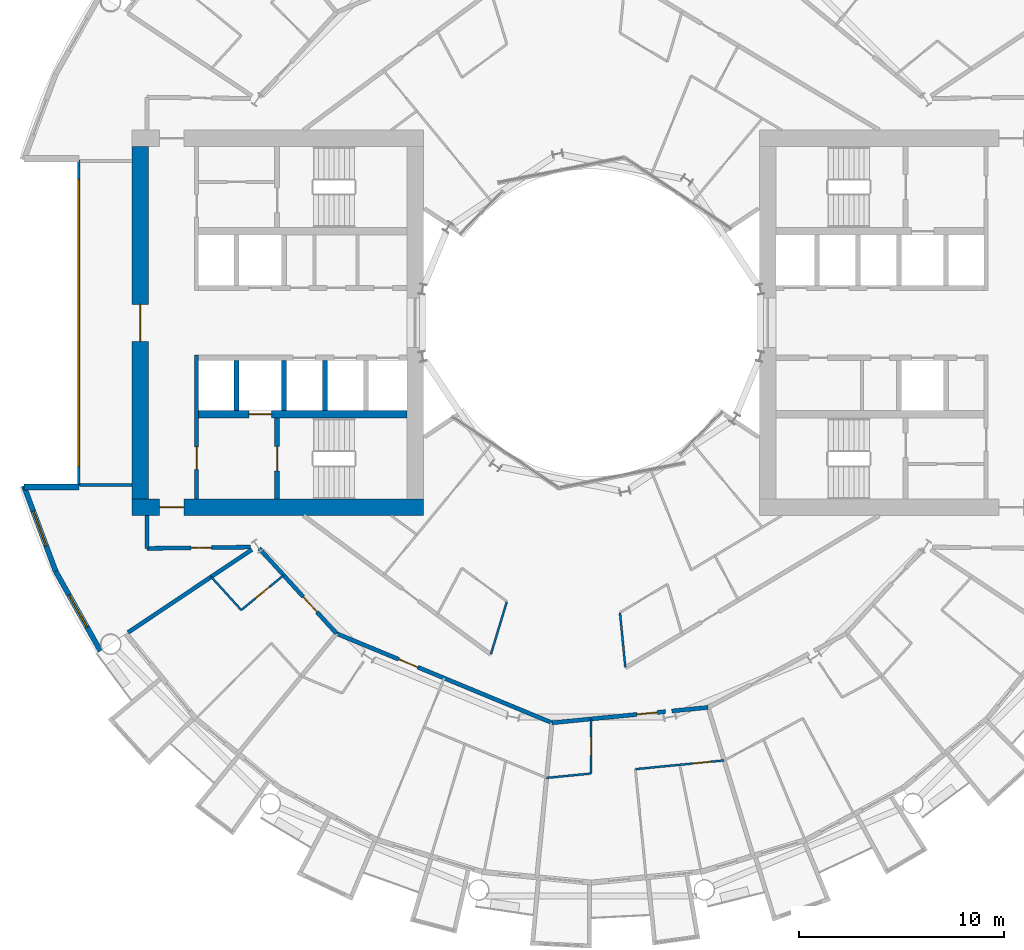
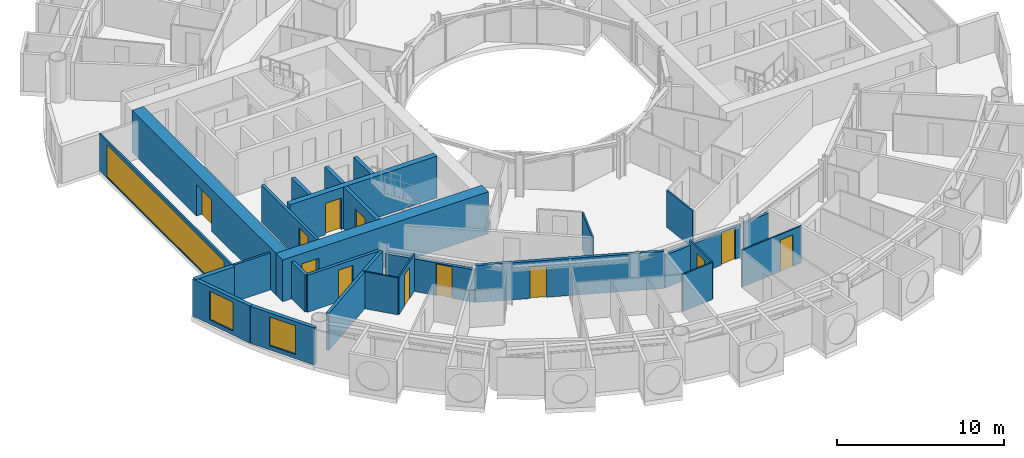
# One storey, part 14 of 26: 28 walls, 12 doors, 3 windows, 15 openings.
"""IFC4 building model written with IfcOpenShell, lengths in metres."""

from ifc_helpers import new_model, si_unit, direction, frame, frame_2d, origin, place, context, subcontext, project, spatial, rectangle, extrude, material, layer, layer_set, type_object, element, fill, save


model = new_model("IFC4")

# Units and contexts
model_context = context("Model", 3, precision=1e-05, world=origin(), true_north=direction((0.0, 1.0)))
body_context = subcontext(model_context, "Body", "Model", "MODEL_VIEW")
ifc_project = project(units=[si_unit("LENGTHUNIT", "METRE"), si_unit("AREAUNIT", "SQUARE_METRE"), si_unit("VOLUMEUNIT", "CUBIC_METRE"), si_unit("PLANEANGLEUNIT", "RADIAN"), si_unit("MASSUNIT", "GRAM", prefix="KILO")], contexts=[model_context])

# Site, building, storey
site_placement = place(None, origin())
site = spatial("IfcSite", under=ifc_project, at=site_placement, CompositionType="ELEMENT")
building_placement = place(site_placement, origin())
building = spatial("IfcBuilding", under=site, at=building_placement, Name="Maasbend Ring Residences", CompositionType="ELEMENT")
storey_placement = place(building_placement, frame((0.0, 0.0, 50.25)))
storey = spatial("IfcBuildingStorey", under=building, at=storey_placement, Name="L14", CompositionType="ELEMENT", Elevation=50.25)

# Wall, opening, door
ifc_material_1 = material(Name="Concrete C70/85", Category="concrete")
ifc_layer_1 = layer(ifc_material_1, 0.25)
ifc_layer_set_1 = layer_set([ifc_layer_1], Name="Concrete C70/85")
wall_type_1 = type_object("IfcWallType", Name="CORE WALL 250 C70/85", PredefinedType="SHEAR", material=ifc_layer_set_1)
wall_1_placement = place(storey_placement, frame((-15.324951171875, -4.64990234375, 0.0), z_axis=(0.0, 0.0, 1.0), x_axis=(0.0, -1.0, 0.0)))
wall_1 = element("IfcWall", 1, at=wall_1_placement, inside=storey, type_object=wall_type_1, Name="L14 core W wall STEN", PredefinedType="SHEAR", context=body_context, shape_type="SweptSolid", body=[
    extrude(rectangle(XDim=3.9501953125, YDim=0.25, at=frame_2d((1.97509765625, 0.0))), origin(), (0.0, 0.0, 1.0), 3.050048828125),
])
opening_1_placement = place(wall_1_placement, frame((1.375, 0.0, 0.0)))
opening_1 = element("IfcOpeningElement", 2, at=opening_1_placement, cuts=wall_1, Name="Opening D-W1410", PredefinedType="OPENING", context=body_context, shape_type="SweptSolid", body=[
    extrude(rectangle(XDim=1.199951171875, YDim=2.300048828125, at=frame_2d((0.60009765625, 1.14990234375))), frame((0.0, 0.135009765625, 0.0), z_axis=(0.0, -1.0, 0.0), x_axis=(1.0, 0.0, 0.0)), (0.0, 0.0, 1.0), 0.27001953125),
])
ifc_material_2 = material(Name="Steel, powder coated", Category="steel")
door_type_1 = type_object("IfcDoorType", Name="STAIR DOOR 1200 X 2300 FD60", OperationType="NOTDEFINED", PredefinedType="DOOR", material=ifc_material_2)
door_1_placement = place(opening_1_placement, origin())
door_1 = element("IfcDoor", 3, at=door_1_placement, inside=storey, type_object=door_type_1, Name="Stair door ST-W L14", OperationType="SINGLE_SWING_LEFT", OverallHeight=2.300048828125, OverallWidth=1.199951171875, PredefinedType="DOOR", context=body_context, shape_type="SweptSolid", body=[
    extrude(rectangle(XDim=1.199951171875, YDim=2.300048828125, at=frame_2d((0.60009765625, 1.14990234375))), frame((0.0, 0.02490234375, 0.0), z_axis=(0.0, -1.0, 0.0), x_axis=(1.0, 0.0, 0.0)), (0.0, 0.0, 1.0), 0.050048828125),
])
fill(opening_1, door_1)

ifc_material_3 = material(Name="Concrete C70/85", Category="concrete")
ifc_layer_2 = layer(ifc_material_3, 0.375)
ifc_layer_set_2 = layer_set([ifc_layer_2], Name="Concrete C70/85")
wall_type_2 = type_object("IfcWallType", Name="CORE WALL 375 C70/85", PredefinedType="SHEAR", material=ifc_layer_set_2)
wall_2_placement = place(storey_placement, frame((-9.0, -4.46240234375, 0.0), z_axis=(0.0, 0.0, 1.0), x_axis=(-1.0, 0.0, 0.0)))
wall_2 = element("IfcWall", 4, at=wall_2_placement, inside=storey, type_object=wall_type_2, Name="L14 core W wall BN", PredefinedType="SHEAR", context=body_context, shape_type="SweptSolid", body=[
    extrude(rectangle(XDim=10.14990234375, YDim=0.375, at=frame_2d((5.074951171875, 0.0))), origin(), (0.0, 0.0, 1.0), 3.050048828125),
])
opening_2_placement = place(wall_2_placement, frame((6.60009765625, 0.0, 0.0)))
opening_2 = element("IfcOpeningElement", 5, at=opening_2_placement, cuts=wall_2, Name="Opening LD-W1404", PredefinedType="OPENING", context=body_context, shape_type="SweptSolid", body=[
    extrude(rectangle(XDim=1.10009765625, YDim=2.300048828125, at=frame_2d((0.550048828125, 1.14990234375))), frame((0.0, 0.197509765625, 0.0), z_axis=(0.0, -1.0, 0.0), x_axis=(1.0, 0.0, 0.0)), (0.0, 0.0, 1.0), 0.39501953125),
])
ifc_material_4 = material(Name="Stainless steel 316", Category="steel")
door_type_2 = type_object("IfcDoorType", Name="LANDING DOOR 1100 X 2300 FD60", OperationType="DOUBLE_DOOR_SLIDING", PredefinedType="DOOR", material=ifc_material_4)
door_2_placement = place(opening_2_placement, origin())
door_2 = element("IfcDoor", 6, at=door_2_placement, inside=storey, type_object=door_type_2, Name="Landing door FF-W L14", OperationType="DOUBLE_DOOR_SLIDING", OverallHeight=2.300048828125, OverallWidth=1.10009765625, PredefinedType="DOOR", context=body_context, shape_type="SweptSolid", body=[
    extrude(rectangle(XDim=1.10009765625, YDim=2.300048828125, at=frame_2d((0.550048828125, 1.14990234375))), frame((0.0, 0.02490234375, 0.0), z_axis=(0.0, -1.0, 0.0), x_axis=(1.0, 0.0, 0.0)), (0.0, 0.0, 1.0), 0.050048828125),
])
fill(opening_2, door_2)

ifc_material_5 = material(Name="Concrete C70/85", Category="concrete")
ifc_layer_3 = layer(ifc_material_5, 0.800048828125)
ifc_layer_set_3 = layer_set([ifc_layer_3], Name="Concrete C70/85")
wall_type_3 = type_object("IfcWallType", Name="CORE WALL 800 C70/85", PredefinedType="SHEAR", material=ifc_layer_set_3)
wall_3_placement = place(storey_placement, frame((-22.39990234375, -9.0, 0.0), z_axis=(0.0, 0.0, 1.0), x_axis=(1.0, 0.0, 0.0)))
wall_3 = element("IfcWall", 7, at=wall_3_placement, inside=storey, type_object=wall_type_3, Name="L14 core W wall PN", PredefinedType="SHEAR", context=body_context, shape_type="SweptSolid", body=[
    extrude(rectangle(XDim=14.199951171875, YDim=0.800048828125, at=frame_2d((7.10009765625, 0.0))), origin(), (0.0, 0.0, 1.0), 3.050048828125),
])
opening_3_placement = place(wall_3_placement, frame((1.324951171875, 0.0, 0.0)))
opening_3 = element("IfcOpeningElement", 8, at=opening_3_placement, cuts=wall_3, Name="Opening D-W1414", PredefinedType="OPENING", context=body_context, shape_type="SweptSolid", body=[
    extrude(rectangle(XDim=1.199951171875, YDim=2.300048828125, at=frame_2d((0.60009765625, 1.14990234375))), frame((0.0, 0.41015625, 0.0), z_axis=(0.0, -1.0, 0.0), x_axis=(1.0, 0.0, 0.0)), (0.0, 0.0, 1.0), 0.820068359375),
])
ifc_material_6 = material(Name="Steel, powder coated", Category="steel")
door_type_3 = type_object("IfcDoorType", Name="CORRIDOR DOOR 1200 X 2300 FD30S", OperationType="NOTDEFINED", PredefinedType="DOOR", material=ifc_material_6)
door_3_placement = place(opening_3_placement, origin())
door_3 = element("IfcDoor", 9, at=door_3_placement, inside=storey, type_object=door_type_3, Name="Corridor door L14", OperationType="SINGLE_SWING_RIGHT", OverallHeight=2.300048828125, OverallWidth=1.199951171875, PredefinedType="DOOR", context=body_context, shape_type="SweptSolid", body=[
    extrude(rectangle(XDim=1.199951171875, YDim=2.300048828125, at=frame_2d((0.60009765625, 1.14990234375))), frame((0.0, 0.02490234375, 0.0), z_axis=(0.0, -1.0, 0.0), x_axis=(1.0, 0.0, 0.0)), (0.0, 0.0, 1.0), 0.050048828125),
])
fill(opening_3, door_3)

wall_4_placement = place(storey_placement, frame((-22.0, -8.60009765625, 0.0), z_axis=(0.0, 0.0, 1.0), x_axis=(0.0, 1.0, 0.0)))
wall_4 = element("IfcWall", 10, at=wall_4_placement, inside=storey, type_object=wall_type_3, Name="L14 core W wall POUT", PredefinedType="SHEAR", context=body_context, shape_type="SweptSolid", body=[
    extrude(rectangle(XDim=17.2001953125, YDim=0.800048828125, at=frame_2d((8.60009765625, 0.0))), origin(), (0.0, 0.0, 1.0), 3.050048828125),
])
opening_4_placement = place(wall_4_placement, frame((7.699951171875, 0.0, 0.0)))
opening_4 = element("IfcOpeningElement", 11, at=opening_4_placement, cuts=wall_4, Name="Opening D-W1416", PredefinedType="OPENING", context=body_context, shape_type="SweptSolid", body=[
    extrude(rectangle(XDim=1.800048828125, YDim=2.300048828125, at=frame_2d((0.89990234375, 1.14990234375))), frame((0.0, 0.41015625, 0.0), z_axis=(0.0, -1.0, 0.0), x_axis=(1.0, 0.0, 0.0)), (0.0, 0.0, 1.0), 0.820068359375),
])
ifc_material_7 = material(Name="Aluminium frame, clear glass", Category="aluminium")
door_type_4 = type_object("IfcDoorType", Name="ENTRANCE DOOR 1800 X 2300 FD60", OperationType="NOTDEFINED", PredefinedType="DOOR", material=ifc_material_7)
door_4_placement = place(opening_4_placement, origin())
door_4 = element("IfcDoor", 12, at=door_4_placement, inside=storey, type_object=door_type_4, Name="Lobby glazed door L14", OperationType="SINGLE_SWING_LEFT", OverallHeight=2.300048828125, OverallWidth=1.800048828125, PredefinedType="DOOR", context=body_context, shape_type="SweptSolid", body=[
    extrude(rectangle(XDim=1.800048828125, YDim=2.300048828125, at=frame_2d((0.89990234375, 1.14990234375))), frame((0.0, 0.02490234375, 0.0), z_axis=(0.0, -1.0, 0.0), x_axis=(1.0, 0.0, 0.0)), (0.0, 0.0, 1.0), 0.050048828125),
])
fill(opening_4, door_4)

ifc_material_8 = material(Name="Concrete C30/37", Category="concrete")
ifc_layer_4 = layer(ifc_material_8, 0.199951171875)
ifc_layer_set_4 = layer_set([ifc_layer_4], Name="Concrete C30/37")
wall_type_4 = type_object("IfcWallType", Name="CORRIDOR WALL 200 CONCRETE", PredefinedType="PARTITIONING", material=ifc_layer_set_4)
wall_5_placement = place(storey_placement, frame((-16.193115234375, -11.0029296875, 0.0), z_axis=(0.0, 0.0, 1.0), x_axis=(0.671514934772, -0.740991020444, 0.0)))
wall_5 = element("IfcWall", 13, at=wall_5_placement, inside=storey, type_object=wall_type_4, Name="U-L14-w013", PredefinedType="PARTITIONING", context=body_context, shape_type="SweptSolid", body=[
    extrude(rectangle(XDim=5.597900390625, YDim=0.199951171875, at=frame_2d((2.798828125, 0.0))), origin(), (0.0, 0.0, 1.0), 2.3798828125),
])
opening_5_placement = place(wall_5_placement, frame((3.179931640625, 0.0, 0.0)))
opening_5 = element("IfcOpeningElement", 14, at=opening_5_placement, cuts=wall_5, Name="Opening D-1430", PredefinedType="OPENING", context=body_context, shape_type="SweptSolid", body=[
    extrude(rectangle(XDim=1.0, YDim=2.300048828125, at=frame_2d((0.5, 1.14990234375))), frame((0.0, 0.10986328125, 0.0), z_axis=(0.0, -1.0, 0.0), x_axis=(1.0, 0.0, 0.0)), (0.0, 0.0, 1.0), 0.219970703125),
])
ifc_material_9 = material(Name="Timber, fire-rated, painted", Category="wood")
door_type_5 = type_object("IfcDoorType", Name="FLAT ENTRANCE DOOR 1000 X 2300 FIRE-RATED", OperationType="NOTDEFINED", PredefinedType="DOOR", material=ifc_material_9)
door_5_placement = place(opening_5_placement, origin())
door_5 = element("IfcDoor", 15, at=door_5_placement, inside=storey, type_object=door_type_5, Name="D-1430", OperationType="SINGLE_SWING_RIGHT", OverallHeight=2.300048828125, OverallWidth=1.0, PredefinedType="DOOR", context=body_context, shape_type="SweptSolid", body=[
    extrude(rectangle(XDim=1.0, YDim=2.300048828125, at=frame_2d((0.5, 1.14990234375))), frame((0.0, 0.02490234375, 0.0), z_axis=(0.0, -1.0, 0.0), x_axis=(1.0, 0.0, 0.0)), (0.0, 0.0, 1.0), 0.050048828125),
])
fill(opening_5, door_5)

wall_6_placement = place(storey_placement, frame((-1.927001953125, -19.506103515625, 0.0), z_axis=(0.0, 0.0, 1.0), x_axis=(0.995181086618, 0.098054091383, 0.0)))
wall_6 = element("IfcWall", 16, at=wall_6_placement, inside=storey, type_object=wall_type_4, Name="U-L14-w015", PredefinedType="PARTITIONING", context=body_context, shape_type="SweptSolid", body=[
    extrude(rectangle(XDim=5.56982421875, YDim=0.199951171875, at=frame_2d((2.784912109375, 0.0))), origin(), (0.0, 0.0, 1.0), 2.3798828125),
])
opening_6_placement = place(wall_6_placement, frame((4.16796875, 0.0, 0.0)))
opening_6 = element("IfcOpeningElement", 17, at=opening_6_placement, cuts=wall_6, Name="Opening D-1439", PredefinedType="OPENING", context=body_context, shape_type="SweptSolid", body=[
    extrude(rectangle(XDim=1.0, YDim=2.300048828125, at=frame_2d((0.5, 1.14990234375))), frame((0.0, 0.10986328125, 0.0), z_axis=(0.0, -1.0, 0.0), x_axis=(1.0, 0.0, 0.0)), (0.0, 0.0, 1.0), 0.219970703125),
])
door_6_placement = place(opening_6_placement, origin())
door_6 = element("IfcDoor", 18, at=door_6_placement, inside=storey, type_object=door_type_5, Name="D-1439", OperationType="SINGLE_SWING_RIGHT", OverallHeight=2.300048828125, OverallWidth=1.0, PredefinedType="DOOR", context=body_context, shape_type="SweptSolid", body=[
    extrude(rectangle(XDim=1.0, YDim=2.300048828125, at=frame_2d((0.5, 1.14990234375))), frame((0.0, 0.02490234375, 0.0), z_axis=(0.0, -1.0, 0.0), x_axis=(1.0, 0.0, 0.0)), (0.0, 0.0, 1.0), 0.050048828125),
])
fill(opening_6, door_6)

# Wall
wall_7_placement = place(storey_placement, frame((3.9208984375, -18.929931640625, 0.0), z_axis=(0.0, 0.0, 1.0), x_axis=(0.995207057161, 0.097790149696, 0.0)))
element("IfcWall", 19, at=wall_7_placement, inside=storey, type_object=wall_type_4, Name="U-L14-w016", PredefinedType="PARTITIONING", context=body_context, shape_type="SweptSolid", body=[
    extrude(rectangle(XDim=1.777587890625, YDim=0.199951171875, at=frame_2d((0.888671875, 0.0))), origin(), (0.0, 0.0, 1.0), 2.3798828125),
])

# Wall, opening, door
wall_8_placement = place(storey_placement, frame((-12.43408203125, -15.15087890625, 0.0), z_axis=(0.0, 0.0, 1.0), x_axis=(0.923888467236, -0.382661861319, 0.0)))
wall_8 = element("IfcWall", 20, at=wall_8_placement, inside=storey, type_object=wall_type_4, Name="U-L14-w019", PredefinedType="PARTITIONING", context=body_context, shape_type="SweptSolid", body=[
    extrude(rectangle(XDim=11.38134765625, YDim=0.199951171875, at=frame_2d((5.690673828125, 0.0))), origin(), (0.0, 0.0, 1.0), 2.699951171875),
])
opening_7_placement = place(wall_8_placement, frame((3.2919921875, 0.0, 0.0)))
opening_7 = element("IfcOpeningElement", 21, at=opening_7_placement, cuts=wall_8, Name="Opening D-1433", PredefinedType="OPENING", context=body_context, shape_type="SweptSolid", body=[
    extrude(rectangle(XDim=1.0, YDim=2.300048828125, at=frame_2d((0.5, 1.14990234375))), frame((0.0, 0.10986328125, 0.0), z_axis=(0.0, -1.0, 0.0), x_axis=(1.0, 0.0, 0.0)), (0.0, 0.0, 1.0), 0.219970703125),
])
door_7_placement = place(opening_7_placement, origin())
door_7 = element("IfcDoor", 22, at=door_7_placement, inside=storey, type_object=door_type_5, Name="D-1433", OperationType="SINGLE_SWING_LEFT", OverallHeight=2.300048828125, OverallWidth=1.0, PredefinedType="DOOR", context=body_context, shape_type="SweptSolid", body=[
    extrude(rectangle(XDim=1.0, YDim=2.300048828125, at=frame_2d((0.5, 1.14990234375))), frame((0.0, 0.02490234375, 0.0), z_axis=(0.0, -1.0, 0.0), x_axis=(1.0, 0.0, 0.0)), (0.0, 0.0, 1.0), 0.050048828125),
])
fill(opening_7, door_7)

wall_9_placement = place(storey_placement, frame((-21.675048828125, -11.0, 0.0), z_axis=(0.0, 0.0, 1.0), x_axis=(0.99992425795, 0.012307654658, 0.0)))
wall_9 = element("IfcWall", 23, at=wall_9_placement, inside=storey, type_object=wall_type_4, Name="U-L14-w026", PredefinedType="PARTITIONING", context=body_context, shape_type="SweptSolid", body=[
    extrude(rectangle(XDim=5.03857421875, YDim=0.199951171875, at=frame_2d((2.519287109375, 0.0))), origin(), (0.0, 0.0, 1.0), 2.699951171875),
])
opening_8_placement = place(wall_9_placement, frame((2.155029296875, 0.0, 0.0)))
opening_8 = element("IfcOpeningElement", 24, at=opening_8_placement, cuts=wall_9, Name="Opening D-1459", PredefinedType="OPENING", context=body_context, shape_type="SweptSolid", body=[
    extrude(rectangle(XDim=1.0, YDim=2.300048828125, at=frame_2d((0.5, 1.14990234375))), frame((0.0, 0.10986328125, 0.0), z_axis=(0.0, -1.0, 0.0), x_axis=(1.0, 0.0, 0.0)), (0.0, 0.0, 1.0), 0.219970703125),
])
ifc_material_10 = material(Name="Timber, painted", Category="wood")
door_type_6 = type_object("IfcDoorType", Name="ROOM DOOR 1000 X 2300", OperationType="NOTDEFINED", PredefinedType="DOOR", material=ifc_material_10)
door_8_placement = place(opening_8_placement, origin())
door_8 = element("IfcDoor", 25, at=door_8_placement, inside=storey, type_object=door_type_6, Name="D-1459", OperationType="SINGLE_SWING_RIGHT", OverallHeight=2.300048828125, OverallWidth=1.0, PredefinedType="DOOR", context=body_context, shape_type="SweptSolid", body=[
    extrude(rectangle(XDim=1.0, YDim=2.300048828125, at=frame_2d((0.5, 1.14990234375))), frame((0.0, 0.02490234375, 0.0), z_axis=(0.0, -1.0, 0.0), x_axis=(1.0, 0.0, 0.0)), (0.0, 0.0, 1.0), 0.050048828125),
])
fill(opening_8, door_8)

# Wall
wall_10_placement = place(storey_placement, frame((-21.675048828125, -11.0, 0.0), z_axis=(0.0, 0.0, 1.0), x_axis=(0.0, 1.0, 0.0)))
element("IfcWall", 26, at=wall_10_placement, inside=storey, type_object=wall_type_4, Name="U-L14-w102", PredefinedType="PARTITIONING", context=body_context, shape_type="SweptSolid", body=[
    extrude(rectangle(XDim=1.60009765625, YDim=0.199951171875, at=frame_2d((0.800048828125, 0.0))), origin(), (0.0, 0.0, 1.0), 2.699951171875),
])

# Wall, opening, window
ifc_material_11 = material(Name="Aluminium clad insulated panel", Category="aluminium")
ifc_layer_5 = layer(ifc_material_11, 0.25)
ifc_layer_set_5 = layer_set([ifc_layer_5], Name="EW-HORN")
wall_type_5 = type_object("IfcWallType", Name="EW-HORN", PredefinedType="SOLIDWALL", material=ifc_layer_set_5)
wall_11_placement = place(storey_placement, frame((-27.681884765625, -7.945068359375, 0.0), z_axis=(0.0, 0.0, 1.0), x_axis=(0.349247811493, -0.937030397675, 0.0)))
wall_11 = element("IfcWall", 27, at=wall_11_placement, inside=storey, type_object=wall_type_5, Name="Horn wall 3.1", PredefinedType="SOLIDWALL", context=body_context, shape_type="SweptSolid", body=[
    extrude(rectangle(XDim=4.4521484375, YDim=0.25, at=frame_2d((2.22607421875, 0.0))), origin(), (0.0, 0.0, 1.0), 2.699951171875),
])
opening_9_placement = place(wall_11_placement, frame((1.32666015625, 0.0, 0.300048828125)))
opening_9 = element("IfcOpeningElement", 28, at=opening_9_placement, cuts=wall_11, Name="Opening W-BX", PredefinedType="OPENING", context=body_context, shape_type="SweptSolid", body=[
    extrude(rectangle(XDim=1.800048828125, YDim=2.10009765625, at=frame_2d((0.89990234375, 1.050048828125))), frame((0.0, 0.135009765625, 0.0), z_axis=(0.0, -1.0, 0.0), x_axis=(1.0, 0.0, 0.0)), (0.0, 0.0, 1.0), 0.27001953125),
])
ifc_material_12 = material(Name="Aluminium and clear glass", Category="aluminium")
window_type_1 = type_object("IfcWindowType", Name="W-BX", PartitioningType="DOUBLE_PANEL_VERTICAL", PredefinedType="WINDOW", material=ifc_material_12)
window_1_placement = place(opening_9_placement, origin())
window_1 = element("IfcWindow", 29, at=window_1_placement, inside=storey, type_object=window_type_1, Name="Horn window 3.1", OverallHeight=2.10009765625, OverallWidth=1.800048828125, PartitioningType="SINGLE_PANEL", PredefinedType="WINDOW", context=body_context, shape_type="SweptSolid", body=[
    extrude(rectangle(XDim=1.800048828125, YDim=2.10009765625, at=frame_2d((0.89990234375, 1.050048828125))), frame((0.0, 0.030029296875, 0.0), z_axis=(0.0, -1.0, 0.0), x_axis=(1.0, 0.0, 0.0)), (0.0, 0.0, 1.0), 0.06005859375),
])
fill(opening_9, window_1)

wall_12_placement = place(storey_placement, frame((-26.126953125, -12.116943359375, 0.0), z_axis=(0.0, 0.0, 1.0), x_axis=(0.489696356642, -0.871893042919, 0.0)))
wall_12 = element("IfcWall", 30, at=wall_12_placement, inside=storey, type_object=wall_type_5, Name="Horn wall 3.2", PredefinedType="SOLIDWALL", context=body_context, shape_type="SweptSolid", body=[
    extrude(rectangle(XDim=4.45361328125, YDim=0.25, at=frame_2d((2.226806640625, 0.0))), origin(), (0.0, 0.0, 1.0), 2.699951171875),
])
opening_10_placement = place(wall_12_placement, frame((1.32666015625, 0.0, 0.300048828125)))
opening_10 = element("IfcOpeningElement", 31, at=opening_10_placement, cuts=wall_12, Name="Opening W-BX", PredefinedType="OPENING", context=body_context, shape_type="SweptSolid", body=[
    extrude(rectangle(XDim=1.800048828125, YDim=2.10009765625, at=frame_2d((0.89990234375, 1.050048828125))), frame((0.0, 0.135009765625, 0.0), z_axis=(0.0, -1.0, 0.0), x_axis=(1.0, 0.0, 0.0)), (0.0, 0.0, 1.0), 0.27001953125),
])
window_2_placement = place(opening_10_placement, origin())
window_2 = element("IfcWindow", 32, at=window_2_placement, inside=storey, type_object=window_type_1, Name="Horn window 3.2", OverallHeight=2.10009765625, OverallWidth=1.800048828125, PartitioningType="SINGLE_PANEL", PredefinedType="WINDOW", context=body_context, shape_type="SweptSolid", body=[
    extrude(rectangle(XDim=1.800048828125, YDim=2.10009765625, at=frame_2d((0.89990234375, 1.050048828125))), frame((0.0, 0.030029296875, 0.0), z_axis=(0.0, -1.0, 0.0), x_axis=(1.0, 0.0, 0.0)), (0.0, 0.0, 1.0), 0.06005859375),
])
fill(opening_10, window_2)

# Wall
ifc_material_13 = material(Name="Aluminium clad insulated panel", Category="aluminium")
ifc_layer_6 = layer(ifc_material_13, 0.300048828125)
ifc_layer_set_6 = layer_set([ifc_layer_6], Name="EW-RET")
wall_type_6 = type_object("IfcWallType", Name="EW-RET", PredefinedType="SOLIDWALL", material=ifc_layer_set_6)
wall_13_placement = place(storey_placement, frame((-25.0, -8.0, 0.0), z_axis=(0.0, 0.0, 1.0), x_axis=(-1.0, 0.0, 0.0)))
element("IfcWall", 33, at=wall_13_placement, inside=storey, type_object=wall_type_6, Name="Notch return wall west south", PredefinedType="SOLIDWALL", context=body_context, shape_type="SweptSolid", body=[
    extrude(rectangle(XDim=2.6669921875, YDim=0.300048828125, at=frame_2d((1.33349609375, 0.0))), origin(), (0.0, 0.0, 1.0), 2.699951171875),
])

# Wall, opening, window
ifc_material_14 = material(Name="Aluminium frame and clear glass", Category="aluminium")
ifc_layer_7 = layer(ifc_material_14, 0.1201171875)
ifc_layer_set_7 = layer_set([ifc_layer_7], Name="GLAZED SCREEN WALL 120 EI 60")
wall_type_7 = type_object("IfcWallType", Name="GLAZED SCREEN WALL 120 EI 60", PredefinedType="PARTITIONING", material=ifc_layer_set_7)
wall_14_placement = place(storey_placement, frame((-25.0, 7.949951171875, 0.0), z_axis=(0.0, 0.0, 1.0), x_axis=(0.0, -1.0, 0.0)))
wall_14 = element("IfcWall", 34, at=wall_14_placement, inside=storey, type_object=wall_type_7, Name="L14 core W wall FACE", PredefinedType="PARTITIONING", context=body_context, shape_type="SweptSolid", body=[
    extrude(rectangle(XDim=15.89990234375, YDim=0.1201171875, at=frame_2d((7.949951171875, 0.0))), origin(), (0.0, 0.0, 1.0), 2.699951171875),
])
opening_11_placement = place(wall_14_placement, frame((0.949951171875, 0.0, 0.10009765625)))
opening_11 = element("IfcOpeningElement", 35, at=opening_11_placement, cuts=wall_14, Name="Opening W-W1402", PredefinedType="OPENING", context=body_context, shape_type="SweptSolid", body=[
    extrude(rectangle(XDim=14.0, YDim=2.35009765625, at=frame_2d((7.0, 1.175048828125))), frame((0.0, 0.070068359375, 0.0), z_axis=(0.0, -1.0, 0.0), x_axis=(1.0, 0.0, 0.0)), (0.0, 0.0, 1.0), 0.14013671875),
])
ifc_material_15 = material(Name="Aluminium frame and clear glass", Category="aluminium")
window_type_2 = type_object("IfcWindowType", Name="FIXED WINDOW 14000 X 2350", PartitioningType="SINGLE_PANEL", PredefinedType="WINDOW", material=ifc_material_15)
window_3_placement = place(opening_11_placement, origin())
window_3 = element("IfcWindow", 36, at=window_3_placement, inside=storey, type_object=window_type_2, Name="Lobby window L14", OverallHeight=2.35009765625, OverallWidth=14.0, PartitioningType="SINGLE_PANEL", PredefinedType="WINDOW", context=body_context, shape_type="SweptSolid", body=[
    extrude(rectangle(XDim=14.0, YDim=2.35009765625, at=frame_2d((7.0, 1.175048828125))), frame((0.0, 0.030029296875, 0.0), z_axis=(0.0, -1.0, 0.0), x_axis=(1.0, 0.0, 0.0)), (0.0, 0.0, 1.0), 0.06005859375),
])
fill(opening_11, window_3)

# Walls
ifc_material_16 = material(Name="Gypsum board on steel studs", Category="steel")
ifc_layer_8 = layer(ifc_material_16, 0.10009765625)
ifc_layer_set_8 = layer_set([ifc_layer_8], Name="PARTITION 100 GYPSUM")
wall_type_8 = type_object("IfcWallType", Name="PARTITION 100 GYPSUM", PredefinedType="PARTITIONING", material=ifc_layer_set_8)
wall_15_placement = place(storey_placement, frame((-18.5419921875, -12.388916015625, 0.0), z_axis=(0.0, 0.0, 1.0), x_axis=(0.671396556615, -0.741098282123, 0.0)))
element("IfcWall", 37, at=wall_15_placement, inside=storey, type_object=wall_type_8, Name="U-L14-w001", PredefinedType="PARTITIONING", context=body_context, shape_type="SweptSolid", body=[
    extrude(rectangle(XDim=2.18212890625, YDim=0.10009765625, at=frame_2d((1.091064453125, 0.0))), origin(), (0.0, 0.0, 1.0), 2.699951171875),
])
wall_16_placement = place(storey_placement, frame((-2.196044921875, -22.193115234375, 0.0), z_axis=(0.0, 0.0, 1.0), x_axis=(0.995193648169, 0.097926516552, 0.0)))
element("IfcWall", 38, at=wall_16_placement, inside=storey, type_object=wall_type_8, Name="U-L14-w005", PredefinedType="PARTITIONING", context=body_context, shape_type="SweptSolid", body=[
    extrude(rectangle(XDim=2.176513671875, YDim=0.10009765625, at=frame_2d((1.08837890625, 0.0))), origin(), (0.0, 0.0, 1.0), 2.699951171875),
])

# Wall, opening, door
wall_17_placement = place(storey_placement, frame((2.14404296875, -21.76611328125, 0.0), z_axis=(0.0, 0.0, 1.0), x_axis=(0.995192120883, 0.097942036599, 0.0)))
wall_17 = element("IfcWall", 39, at=wall_17_placement, inside=storey, type_object=wall_type_8, Name="U-L14-w006", PredefinedType="PARTITIONING", context=body_context, shape_type="SweptSolid", body=[
    extrude(rectangle(XDim=4.349853515625, YDim=0.10009765625, at=frame_2d((2.1748046875, 0.0))), origin(), (0.0, 0.0, 1.0), 2.699951171875),
])
opening_12_placement = place(wall_17_placement, frame((2.81201171875, 0.0, 0.0)))
opening_12 = element("IfcOpeningElement", 40, at=opening_12_placement, cuts=wall_17, Name="Opening D-1442", PredefinedType="OPENING", context=body_context, shape_type="SweptSolid", body=[
    extrude(rectangle(XDim=0.89990234375, YDim=2.300048828125, at=frame_2d((0.449951171875, 1.14990234375))), frame((0.0, 0.06005859375, 0.0), z_axis=(0.0, -1.0, 0.0), x_axis=(1.0, 0.0, 0.0)), (0.0, 0.0, 1.0), 0.1201171875),
])
ifc_material_17 = material(Name="Timber, painted", Category="wood")
door_type_7 = type_object("IfcDoorType", Name="INTERNAL DOOR 900 X 2300", OperationType="NOTDEFINED", PredefinedType="DOOR", material=ifc_material_17)
door_9_placement = place(opening_12_placement, origin())
door_9 = element("IfcDoor", 41, at=door_9_placement, inside=storey, type_object=door_type_7, Name="D-1442", OperationType="SINGLE_SWING_RIGHT", OverallHeight=2.300048828125, OverallWidth=0.89990234375, PredefinedType="DOOR", context=body_context, shape_type="SweptSolid", body=[
    extrude(rectangle(XDim=0.89990234375, YDim=2.300048828125, at=frame_2d((0.449951171875, 1.14990234375))), frame((0.0, 0.02490234375, 0.0), z_axis=(0.0, -1.0, 0.0), x_axis=(1.0, 0.0, 0.0)), (0.0, 0.0, 1.0), 0.050048828125),
])
fill(opening_12, door_9)

wall_18_placement = place(storey_placement, frame((-17.076904296875, -14.006103515625, 0.0), z_axis=(0.0, 0.0, 1.0), x_axis=(0.77319617123, 0.634166918717, 0.0)))
wall_18 = element("IfcWall", 42, at=wall_18_placement, inside=storey, type_object=wall_type_8, Name="U-L14-w038", PredefinedType="PARTITIONING", context=body_context, shape_type="SweptSolid", body=[
    extrude(rectangle(XDim=2.674560546875, YDim=0.10009765625, at=frame_2d((1.33740234375, 0.0))), origin(), (0.0, 0.0, 1.0), 2.699951171875),
])
opening_13_placement = place(wall_18_placement, frame((0.886962890625, 0.0, 0.0)))
opening_13 = element("IfcOpeningElement", 43, at=opening_13_placement, cuts=wall_18, Name="Opening D-1431", PredefinedType="OPENING", context=body_context, shape_type="SweptSolid", body=[
    extrude(rectangle(XDim=0.89990234375, YDim=2.300048828125, at=frame_2d((0.449951171875, 1.14990234375))), frame((0.0, 0.06005859375, 0.0), z_axis=(0.0, -1.0, 0.0), x_axis=(1.0, 0.0, 0.0)), (0.0, 0.0, 1.0), 0.1201171875),
])
door_10_placement = place(opening_13_placement, origin())
door_10 = element("IfcDoor", 44, at=door_10_placement, inside=storey, type_object=door_type_7, Name="D-1431", OperationType="SINGLE_SWING_LEFT", OverallHeight=2.300048828125, OverallWidth=0.89990234375, PredefinedType="DOOR", context=body_context, shape_type="SweptSolid", body=[
    extrude(rectangle(XDim=0.89990234375, YDim=2.300048828125, at=frame_2d((0.449951171875, 1.14990234375))), frame((0.0, 0.02490234375, 0.0), z_axis=(0.0, -1.0, 0.0), x_axis=(1.0, 0.0, 0.0)), (0.0, 0.0, 1.0), 0.050048828125),
])
fill(opening_13, door_10)

wall_19_placement = place(storey_placement, frame((-0.02099609375, -21.97900390625, 0.0), z_axis=(0.0, 0.0, 1.0), x_axis=(0.001101017775, 0.99999939388, 0.0)))
wall_19 = element("IfcWall", 45, at=wall_19_placement, inside=storey, type_object=wall_type_8, Name="U-L14-w054", PredefinedType="PARTITIONING", context=body_context, shape_type="SweptSolid", body=[
    extrude(rectangle(XDim=2.660888671875, YDim=0.10009765625, at=frame_2d((1.33056640625, 0.0))), origin(), (0.0, 0.0, 1.0), 2.699951171875),
])
opening_14_placement = place(wall_19_placement, frame((0.881103515625, 0.0, 0.0)))
opening_14 = element("IfcOpeningElement", 46, at=opening_14_placement, cuts=wall_19, Name="Opening D-1440", PredefinedType="OPENING", context=body_context, shape_type="SweptSolid", body=[
    extrude(rectangle(XDim=0.89990234375, YDim=2.300048828125, at=frame_2d((0.449951171875, 1.14990234375))), frame((0.0, 0.06005859375, 0.0), z_axis=(0.0, -1.0, 0.0), x_axis=(1.0, 0.0, 0.0)), (0.0, 0.0, 1.0), 0.1201171875),
])
door_11_placement = place(opening_14_placement, origin())
door_11 = element("IfcDoor", 47, at=door_11_placement, inside=storey, type_object=door_type_7, Name="D-1440", OperationType="SINGLE_SWING_RIGHT", OverallHeight=2.300048828125, OverallWidth=0.89990234375, PredefinedType="DOOR", context=body_context, shape_type="SweptSolid", body=[
    extrude(rectangle(XDim=0.89990234375, YDim=2.300048828125, at=frame_2d((0.449951171875, 1.14990234375))), frame((0.0, 0.02490234375, 0.0), z_axis=(0.0, -1.0, 0.0), x_axis=(1.0, 0.0, 0.0)), (0.0, 0.0, 1.0), 0.050048828125),
])
fill(opening_14, door_11)

# Walls
wall_20_placement = place(storey_placement, frame((-4.1279296875, -13.60888671875, 0.0), z_axis=(0.0, 0.0, 1.0), x_axis=(-0.290456070925, -0.956888327269, 0.0)))
element("IfcWall", 48, at=wall_20_placement, inside=storey, type_object=wall_type_8, Name="U-L14-w108", PredefinedType="PARTITIONING", context=body_context, shape_type="SweptSolid", body=[
    extrude(rectangle(XDim=2.65771484375, YDim=0.10009765625, at=frame_2d((1.328857421875, 0.0))), origin(), (0.0, 0.0, 1.0), 2.699951171875),
])
wall_21_placement = place(storey_placement, frame((1.654052734375, -16.797119140625, 0.0), z_axis=(0.0, 0.0, 1.0), x_axis=(-0.097901702875, 0.995196089509, 0.0)))
element("IfcWall", 49, at=wall_21_placement, inside=storey, type_object=wall_type_8, Name="U-L14-w109", PredefinedType="PARTITIONING", context=body_context, shape_type="SweptSolid", body=[
    extrude(rectangle(XDim=2.65576171875, YDim=0.10009765625, at=frame_2d((1.327880859375, 0.0))), origin(), (0.0, 0.0, 1.0), 2.699951171875),
])
ifc_material_18 = material(Name="Gypsum board on steel studs", Category="steel")
ifc_layer_9 = layer(ifc_material_18, 0.14990234375)
ifc_layer_set_9 = layer_set([ifc_layer_9], Name="PARTITION 150 EI 60")
wall_type_9 = type_object("IfcWallType", Name="PARTITION 150 EI 60", PredefinedType="PARTITIONING", material=ifc_layer_set_9)
wall_22_placement = place(storey_placement, frame((-22.39990234375, -7.89990234375, 0.0), z_axis=(0.0, 0.0, 1.0), x_axis=(-1.0, 0.0, 0.0)))
element("IfcWall", 50, at=wall_22_placement, inside=storey, type_object=wall_type_9, Name="L14 core W wall CITN", PredefinedType="PARTITIONING", context=body_context, shape_type="SweptSolid", body=[
    extrude(rectangle(XDim=2.5400390625, YDim=0.14990234375, at=frame_2d((1.27001953125, 0.0))), origin(), (0.0, 0.0, 1.0), 2.699951171875),
])
ifc_material_19 = material(Name="Concrete C30/37", Category="concrete")
ifc_layer_10 = layer(ifc_material_19, 0.199951171875)
ifc_layer_set_10 = layer_set([ifc_layer_10], Name="Concrete C30/37")
wall_type_10 = type_object("IfcWallType", Name="PARTY WALL 200 CONCRETE", PredefinedType="PARTITIONING", material=ifc_layer_set_10)
wall_23_placement = place(storey_placement, frame((-18.5439453125, -12.386962890625, 0.0), z_axis=(0.0, 0.0, 1.0), x_axis=(0.832066006555, 0.554676627176, 0.0)))
element("IfcWall", 51, at=wall_23_placement, inside=storey, type_object=wall_type_10, Name="U-L14-w030", PredefinedType="PARTITIONING", context=body_context, shape_type="SweptSolid", body=[
    extrude(rectangle(XDim=2.390380859375, YDim=0.199951171875, at=frame_2d((1.1953125, 0.0))), origin(), (0.0, 0.0, 1.0), 2.699951171875),
])
wall_24_placement = place(storey_placement, frame((-22.594970703125, -15.097900390625, 0.0), z_axis=(0.0, 0.0, 1.0), x_axis=(0.831387096605, 0.55569370664, 0.0)))
element("IfcWall", 52, at=wall_24_placement, inside=storey, type_object=wall_type_10, Name="U-L14-w033", PredefinedType="PARTITIONING", context=body_context, shape_type="SweptSolid", body=[
    extrude(rectangle(XDim=4.875, YDim=0.199951171875, at=frame_2d((2.4375, 0.0))), origin(), (0.0, 0.0, 1.0), 2.699951171875),
])

# Wall, opening, door
ifc_material_20 = material(Name="Concrete C30/37", Category="concrete")
ifc_layer_11 = layer(ifc_material_20, 0.199951171875)
ifc_layer_set_11 = layer_set([ifc_layer_11], Name="Concrete C30/37")
wall_type_11 = type_object("IfcWallType", Name="SHAFT WALL 200 EI 120", PredefinedType="SOLIDWALL", material=ifc_layer_set_11)
wall_25_placement = place(storey_placement, frame((-19.25, -1.574951171875, 0.0), z_axis=(0.0, 0.0, 1.0), x_axis=(0.0, -1.0, 0.0)))
wall_25 = element("IfcWall", 53, at=wall_25_placement, inside=storey, type_object=wall_type_11, Name="L14 core W wall ENDN", PredefinedType="SOLIDWALL", context=body_context, shape_type="SweptSolid", body=[
    extrude(rectangle(XDim=7.025146484375, YDim=0.199951171875, at=frame_2d((3.5126953125, 0.0))), origin(), (0.0, 0.0, 1.0), 2.699951171875),
])
opening_15_placement = place(wall_25_placement, frame((4.47509765625, 0.0, 0.0)))
opening_15 = element("IfcOpeningElement", 54, at=opening_15_placement, cuts=wall_25, Name="Opening D-W1412", PredefinedType="OPENING", context=body_context, shape_type="SweptSolid", body=[
    extrude(rectangle(XDim=1.10009765625, YDim=2.300048828125, at=frame_2d((0.550048828125, 1.14990234375))), frame((0.0, 0.10986328125, 0.0), z_axis=(0.0, -1.0, 0.0), x_axis=(1.0, 0.0, 0.0)), (0.0, 0.0, 1.0), 0.219970703125),
])
ifc_material_21 = material(Name="Steel, powder coated", Category="steel")
door_type_8 = type_object("IfcDoorType", Name="LOBBY DOOR 1100 X 2300 FD60", OperationType="NOTDEFINED", PredefinedType="DOOR", material=ifc_material_21)
door_12_placement = place(opening_15_placement, origin())
door_12 = element("IfcDoor", 55, at=door_12_placement, inside=storey, type_object=door_type_8, Name="Lobby door L14", OperationType="SINGLE_SWING_LEFT", OverallHeight=2.300048828125, OverallWidth=1.10009765625, PredefinedType="DOOR", context=body_context, shape_type="SweptSolid", body=[
    extrude(rectangle(XDim=1.10009765625, YDim=2.300048828125, at=frame_2d((0.550048828125, 1.14990234375))), frame((0.0, 0.02490234375, 0.0), z_axis=(0.0, -1.0, 0.0), x_axis=(1.0, 0.0, 0.0)), (0.0, 0.0, 1.0), 0.050048828125),
])
fill(opening_15, door_12)

# Walls
ifc_material_22 = material(Name="Concrete C30/37", Category="concrete")
ifc_layer_12 = layer(ifc_material_22, 0.25)
ifc_layer_set_12 = layer_set([ifc_layer_12], Name="Concrete C30/37")
wall_type_12 = type_object("IfcWallType", Name="SHAFT WALL 250 EI 120", PredefinedType="SOLIDWALL", material=ifc_layer_set_12)
for number, where, z_axis, x_axis, name in (
    (56, (-15.0, -1.824951171875, 0.0), (0.0, 0.0, 1.0), (0.0, -1.0, 0.0), "L14 core W wall D150N"),
    (57, (-17.300048828125, -1.824951171875, 0.0), (0.0, 0.0, 1.0), (0.0, -1.0, 0.0), "L14 core W wall D173N"),
    (58, (-13.0, -1.824951171875, 0.0), (0.0, 0.0, 1.0), (0.0, -1.0, 0.0), "L14 core W wall D130N"),
):
    element("IfcWall", number, at=place(storey_placement, frame(where, z_axis=z_axis, x_axis=x_axis)), inside=storey, type_object=wall_type_12, Name=name, PredefinedType="SOLIDWALL", context=body_context, shape_type="SweptSolid", body=[
        extrude(rectangle(XDim=2.449951171875, YDim=0.25, at=frame_2d((1.22509765625, 0.0))), origin(), (0.0, 0.0, 1.0), 2.699951171875),
    ])

save(model, "model.ifc")
